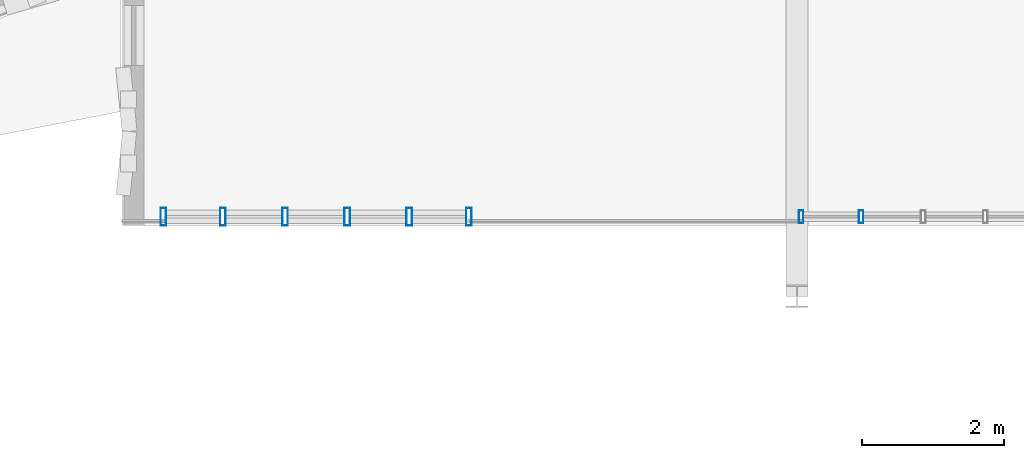
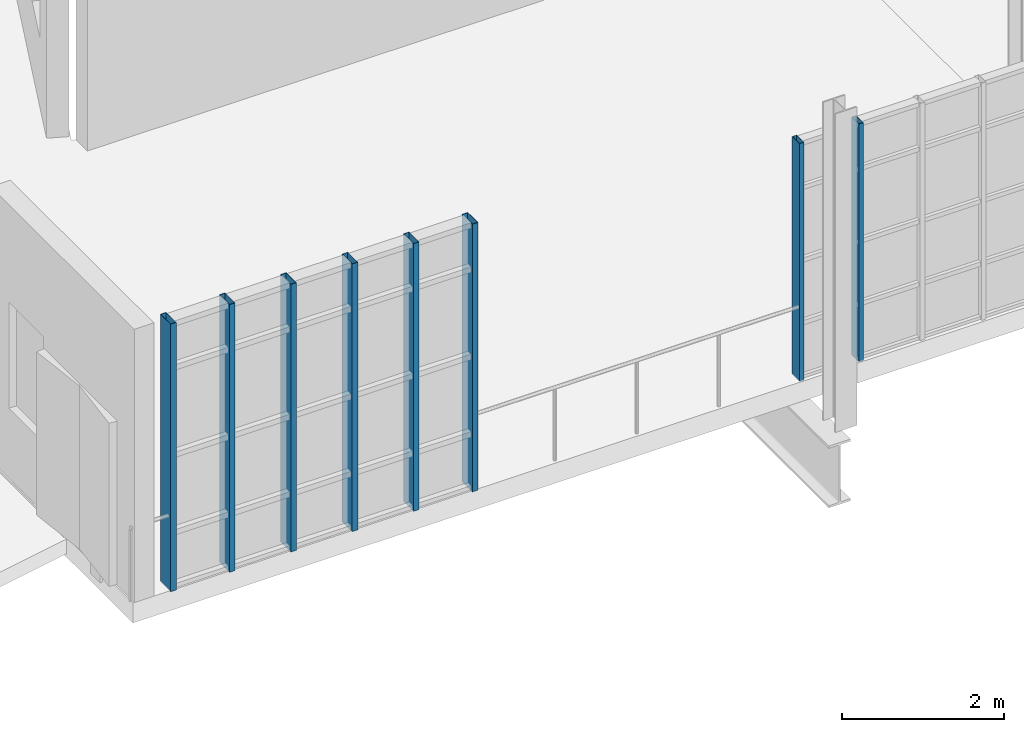
# One storey, part 21 of 122: 8 members, 2 elements without a shape of their own.
"""IFC4 building model written with IfcOpenShell, lengths in metres."""

import ifcopenshell
import ifcopenshell.guid

model = None  # the IFC model being written
_history = None  # IfcOwnerHistory: only IFC2X3 demands one
_inside = {}  # id of a spatial element -> (the spatial element, [elements in it])
_under = {}  # id of a project, library or spatial element -> (it, [spatial elements below it])
_declared = {}  # id of a project -> (the project, [libraries it declares])
_typed = {}  # id of a type object -> (the type object, [elements of that type])
_made_of = {}  # id of a material, layer set ... -> (it, [elements and type objects made of it])


def new_model(schema):
    """Start an empty IFC model of exactly this schema.

    Asked for "IFC4X3", IfcOpenShell would pick the latest addendum, in which some entities
    have other attributes; the version numbers below select the first issue.
    IFC2X3 requires an IfcOwnerHistory on every rooted entity: one is made here for all.
    """
    global model, _history
    if schema == "IFC4X3":
        model = ifcopenshell.file(schema_version=(4, 3, 0, 0))
    else:
        model = ifcopenshell.file(schema=schema)
    _inside.clear()
    _under.clear()
    _declared.clear()
    _typed.clear()
    _made_of.clear()
    _history = None
    if model.schema == "IFC2X3":
        org = make("IfcOrganization", Name="unknown")
        user = make(
            "IfcPersonAndOrganization",
            ThePerson=make("IfcPerson", FamilyName="unknown"),
            TheOrganization=org,
        )
        app = make(
            "IfcApplication",
            ApplicationDeveloper=org,
            Version="unknown",
            ApplicationFullName="unknown",
            ApplicationIdentifier="unknown",
        )
        _history = make(
            "IfcOwnerHistory",
            OwningUser=user,
            OwningApplication=app,
            ChangeAction="ADDED",
            CreationDate=0,
        )
    return model


def make(cls, **values):
    """One entity of the class cls with the attributes given. An attribute that is None is left unset."""
    return model.create_entity(
        cls, **{name: value for name, value in values.items() if value is not None}
    )


def rooted(cls, **values):
    """An entity with a GlobalId (a new one), such as an element, a storey or a relation."""
    return make(cls, GlobalId=ifcopenshell.guid.new(), OwnerHistory=_history, **values)


def si_unit(unit_type, name, prefix=None):
    """IfcSIUnit, for example si_unit("LENGTHUNIT", "METRE", prefix="MILLI")."""
    return make("IfcSIUnit", UnitType=unit_type, Prefix=prefix, Name=name)


def assignment(units):
    """IfcUnitAssignment: the units of a project."""
    return None if units is None else make("IfcUnitAssignment", Units=units)


def point(xyz):
    """IfcCartesianPoint."""
    return None if xyz is None else make("IfcCartesianPoint", Coordinates=xyz)


def direction(xyz):
    """IfcDirection."""
    return None if xyz is None else make("IfcDirection", DirectionRatios=xyz)


def frame(location, z_axis=None, x_axis=None):
    """IfcAxis2Placement3D, a coordinate frame: its origin and axes. An axis left out is left unset."""
    return make(
        "IfcAxis2Placement3D",
        Location=point(location),
        Axis=direction(z_axis),
        RefDirection=direction(x_axis),
    )


def frame_2d(location, x_axis=None):
    """IfcAxis2Placement2D, a coordinate frame in the plane: its origin and x axis."""
    return make(
        "IfcAxis2Placement2D", Location=point(location), RefDirection=direction(x_axis)
    )


def origin():
    """The frame at (0, 0, 0) with its axes left unset."""
    return frame((0.0, 0.0, 0.0))


def origin_2d():
    """The frame at (0, 0) in the plane with its x axis left unset."""
    return frame_2d((0.0, 0.0))


def place(relative_to, where):
    """IfcLocalPlacement: puts the frame where relative to a parent placement (None: the world)."""
    return make(
        "IfcLocalPlacement", PlacementRelTo=relative_to, RelativePlacement=where
    )


def context(
    kind, dimensions, precision=None, world=None, true_north=None, identifier=None
):
    """IfcGeometricRepresentationContext, for example the 3D "Model" context."""
    return make(
        "IfcGeometricRepresentationContext",
        ContextIdentifier=identifier,
        ContextType=kind,
        CoordinateSpaceDimension=dimensions,
        Precision=precision,
        WorldCoordinateSystem=world,
        TrueNorth=true_north,
    )


def subcontext(parent, identifier, kind, view, scale=None):
    """IfcGeometricRepresentationSubContext, for example "Body" below "Model"."""
    return make(
        "IfcGeometricRepresentationSubContext",
        ContextIdentifier=identifier,
        ContextType=kind,
        ParentContext=parent,
        TargetScale=scale,
        TargetView=view,
    )


def project(units=None, contexts=None):
    """IfcProject with its units and contexts."""
    return rooted(
        "IfcProject",
        Name="project",
        RepresentationContexts=contexts,
        UnitsInContext=assignment(units),
    )


def spatial(cls, under=None, at=None, **own):
    """A site, building, storey or space (cls), placed at a placement, below another one or the project."""
    s = rooted(cls, ObjectPlacement=at, **own)
    if under is not None:
        _under.setdefault(under.id(), (under, []))[1].append(s)
    return s


def profile(cls, at=None, kind="AREA", **sizes):
    """A parametric profile (cls). Its sizes go by their IFC names, for example OverallWidth=200.0."""
    return make(cls, ProfileType=kind, Position=at, **sizes)


def hollow_rectangle(**sizes):
    """IfcRectangleHollowProfileDef."""
    return profile("IfcRectangleHollowProfileDef", **sizes)


def extrude(swept, where, along, depth):
    """IfcExtrudedAreaSolid: the profile swept, set in the frame where, extruded along a direction by depth."""
    return make(
        "IfcExtrudedAreaSolid",
        SweptArea=swept,
        Position=where,
        ExtrudedDirection=direction(along),
        Depth=depth,
    )


def shape(context_of_items, identifier, shape_type, items):
    """IfcShapeRepresentation: the items that make up one representation, for example the "Body"."""
    return make(
        "IfcShapeRepresentation",
        ContextOfItems=context_of_items,
        RepresentationIdentifier=identifier,
        RepresentationType=shape_type,
        Items=items,
    )


def material(Name=None, Category=None):
    """IfcMaterial."""
    return make("IfcMaterial", Name=Name, Category=Category)


def layer(
    of_material, thickness, ventilated=None, Name=None, Category=None, Priority=None
):
    """IfcMaterialLayer: one layer of a wall or slab, of a material (None: an air gap)."""
    return make(
        "IfcMaterialLayer",
        Material=of_material,
        LayerThickness=thickness,
        IsVentilated=ventilated,
        Name=Name,
        Category=Category,
        Priority=Priority,
    )


def layer_set(layers, Name=None):
    """IfcMaterialLayerSet."""
    return make("IfcMaterialLayerSet", MaterialLayers=layers, LayerSetName=Name)


def material_profile(
    of_material, cross_section, Name=None, Category=None, Priority=None
):
    """IfcMaterialProfile: a cross section and its material."""
    return make(
        "IfcMaterialProfile",
        Name=Name,
        Material=of_material,
        Profile=cross_section,
        Priority=Priority,
        Category=Category,
    )


def profile_set(profiles, Name=None, composite=None):
    """IfcMaterialProfileSet."""
    return make(
        "IfcMaterialProfileSet",
        Name=Name,
        MaterialProfiles=profiles,
        CompositeProfile=composite,
    )


def made_of(thing, what):
    """Note that an element or type object is made of a material, layer set ...; save() writes the relation."""
    if what is not None:
        _made_of.setdefault(what.id(), (what, []))[1].append(thing)
    return thing


def type_object(cls, material=None, **own):
    """A type object (cls), such as IfcWallType, which elements share."""
    return made_of(rooted(cls, **own), material)


def element(
    cls,
    number,
    at=None,
    inside=None,
    cuts=None,
    type_object=None,
    material=None,
    context=None,
    identifier="Body",
    shape_type=None,
    held_by="IfcProductDefinitionShape",
    body=None,
    shapes=None,
    **own,
):
    """One element of the class cls, such as IfcWall. Its Tag is "e" and its number.

    at: its placement. inside: the storey or other place that contains it. cuts: it is an
    opening in that element (IfcRelVoidsElement). A single representation is given by context,
    identifier, shape_type and body (its items); several are given by shapes. held_by: the class
    of the entity that holds the representations. save() writes the other relations.
    """
    e = rooted(cls, Tag="e%d" % number, ObjectPlacement=at, **own)
    if body is not None:
        shapes = [shape(context, identifier, shape_type, body)]
    if shapes is not None:
        e.Representation = make(held_by, Representations=shapes)
    if inside is not None:
        _inside.setdefault(inside.id(), (inside, []))[1].append(e)
    if cuts is not None:
        rooted(
            "IfcRelVoidsElement", RelatingBuildingElement=cuts, RelatedOpeningElement=e
        )
    if type_object is not None:
        _typed.setdefault(type_object.id(), (type_object, []))[1].append(e)
    return made_of(e, material)


def aggregate(whole, parts):
    """IfcRelAggregates: a whole, such as a stair, and the parts it consists of."""
    return rooted("IfcRelAggregates", RelatingObject=whole, RelatedObjects=parts)


def save(model, path):
    """Write the relations noted so far, then the file.

    IfcRelAggregates (storeys below a building ...), IfcRelContainedInSpatialStructure (elements
    in a storey), IfcRelDefinesByType, IfcRelAssociatesMaterial and IfcRelDeclares: one each for
    every whole, place, type object, material and project.
    """
    for whole, parts in _under.values():
        aggregate(whole, parts)
    for where, things in _inside.values():
        rooted(
            "IfcRelContainedInSpatialStructure",
            RelatedElements=things,
            RelatingStructure=where,
        )
    for kind, things in _typed.values():
        rooted("IfcRelDefinesByType", RelatedObjects=things, RelatingType=kind)
    for what, things in _made_of.values():
        rooted("IfcRelAssociatesMaterial", RelatedObjects=things, RelatingMaterial=what)
    for by, libraries in _declared.values():
        rooted("IfcRelDeclares", RelatingContext=by, RelatedDefinitions=libraries)
    model.write(path)


model = new_model("IFC4")

# Units and contexts
model_context = context("Model", 3, precision=1e-05, world=origin(), true_north=direction((0.0, 1.0)))
body_context = subcontext(model_context, "Body", "Model", "MODEL_VIEW")
ifc_project = project(units=[si_unit("LENGTHUNIT", "METRE"), si_unit("AREAUNIT", "SQUARE_METRE"), si_unit("VOLUMEUNIT", "CUBIC_METRE"), si_unit("PLANEANGLEUNIT", "RADIAN"), si_unit("MASSUNIT", "GRAM", prefix="KILO"), si_unit("THERMODYNAMICTEMPERATUREUNIT", "KELVIN"), si_unit("POWERUNIT", "WATT")], contexts=[model_context])

# Site, building, storey
site_placement = place(None, origin())
site = spatial("IfcSite", under=ifc_project, at=site_placement, CompositionType="ELEMENT")
building_placement = place(site_placement, origin())
building = spatial("IfcBuilding", under=site, at=building_placement, Name="Zelmaris Science Centre", CompositionType="ELEMENT")
storey_placement = place(building_placement, frame((0.0, 0.0, 10.800048828125)))
storey = spatial("IfcBuildingStorey", under=building, at=storey_placement, Name="L02", CompositionType="ELEMENT", Elevation=10.800048828125)

# Curtain wall, members
ifc_material = material(Name="Anodised architectural aluminium 6063-T6", Category="aluminium")
ifc_layer_1 = layer(ifc_material, 0.2099609375, Name="Anodised architectural aluminium 6063-T6")
ifc_layer_set_1 = layer_set([ifc_layer_1], Name="Anodised architectural aluminium 6063-T6")
curtain_wall_type_1 = type_object("IfcCurtainWallType", Name="Curtain Wall CW-03", PredefinedType="USERDEFINED", material=ifc_layer_set_1)
curtain_wall_1_placement = place(storey_placement, origin())
curtain_wall_1 = element("IfcCurtainWall", 1, at=curtain_wall_1_placement, inside=storey, type_object=curtain_wall_type_1, Name="L02 Unitised curtain wall 247", ObjectType="GLAZED CURTAIN WALL", PredefinedType="USERDEFINED")
ifc_material_profile_1 = material_profile(ifc_material, hollow_rectangle(XDim=0.06494140625, YDim=0.179931640625, WallThickness=0.00390625, at=origin_2d()), Name="ALU-MUL-65X180")
ifc_profile_set_1 = profile_set([ifc_material_profile_1], Name="Anodised architectural aluminium 6063-T6")
member_type_1 = type_object("IfcMemberType", Name="ALU-MUL-65X180", PredefinedType="MULLION", material=ifc_profile_set_1)
member_1_placement = place(storey_placement, frame((103.9013671875, 21.1201171875, -0.01513671875), z_axis=(0.0, 0.0, 1.0), x_axis=(-0.999999999986, 5.235988e-06, 0.0)))
member_1 = element("IfcMember", 2, at=member_1_placement, type_object=member_type_1, Name="CW-03 mullion 5", PredefinedType="MULLION", context=body_context, shape_type="SweptSolid", body=[
    extrude(hollow_rectangle(XDim=0.06494140625, YDim=0.179931640625, WallThickness=0.00390625, at=origin_2d()), origin(), (0.0, 0.0, 1.0), 3.588134765625),
])
member_2_placement = place(storey_placement, frame((103.05517578125, 21.1201171875, -0.01513671875), z_axis=(0.0, 0.0, 1.0), x_axis=(-0.999999999986, 5.235988e-06, 0.0)))
member_2 = element("IfcMember", 3, at=member_2_placement, type_object=member_type_1, Name="CW-03 mullion 6", PredefinedType="MULLION", context=body_context, shape_type="SweptSolid", body=[
    extrude(hollow_rectangle(XDim=0.06494140625, YDim=0.179931640625, WallThickness=0.00390625, at=origin_2d()), origin(), (0.0, 0.0, 1.0), 3.588134765625),
])
aggregate(curtain_wall_1, [member_1, member_2])

ifc_layer_2 = layer(ifc_material, 0.18994140625, Name="Anodised architectural aluminium 6063-T6")
ifc_layer_set_2 = layer_set([ifc_layer_2], Name="Anodised architectural aluminium 6063-T6")
curtain_wall_type_2 = type_object("IfcCurtainWallType", Name="Curtain Wall CW-01", PredefinedType="USERDEFINED", material=ifc_layer_set_2)
curtain_wall_2_placement = place(storey_placement, origin())
curtain_wall_2 = element("IfcCurtainWall", 4, at=curtain_wall_2_placement, inside=storey, type_object=curtain_wall_type_2, Name="L02 Unitised curtain wall 249", ObjectType="GLAZED CURTAIN WALL", PredefinedType="USERDEFINED")
ifc_material_profile_2 = material_profile(ifc_material, hollow_rectangle(XDim=0.080078125, YDim=0.25, WallThickness=0.0048828125, at=origin_2d()), Name="ALU-MUL-80X250")
ifc_profile_set_2 = profile_set([ifc_material_profile_2], Name="Anodised architectural aluminium 6063-T6")
member_type_2 = type_object("IfcMemberType", Name="ALU-MUL-80X250", PredefinedType="MULLION", material=ifc_profile_set_2)
member_3_placement = place(storey_placement, frame((98.37744140625, 21.1201171875, -0.01513671875), z_axis=(0.0, 0.0, 1.0), x_axis=(-0.999999999986, 5.235988e-06, 0.0)))
member_3 = element("IfcMember", 5, at=member_3_placement, type_object=member_type_2, Name="CW-01 mullion 1", PredefinedType="MULLION", context=body_context, shape_type="SweptSolid", body=[
    extrude(hollow_rectangle(XDim=0.080078125, YDim=0.25, WallThickness=0.0048828125, at=origin_2d()), origin(), (0.0, 0.0, 1.0), 4.03515625),
])
member_4_placement = place(storey_placement, frame((97.538818359375, 21.1201171875, -0.01513671875), z_axis=(0.0, 0.0, 1.0), x_axis=(-0.999999999986, 5.235988e-06, 0.0)))
member_4 = element("IfcMember", 6, at=member_4_placement, type_object=member_type_2, Name="CW-01 mullion 2", PredefinedType="MULLION", context=body_context, shape_type="SweptSolid", body=[
    extrude(hollow_rectangle(XDim=0.080078125, YDim=0.25, WallThickness=0.0048828125, at=origin_2d()), origin(), (0.0, 0.0, 1.0), 4.03515625),
])
member_5_placement = place(storey_placement, frame((96.6640625, 21.1201171875, -0.01513671875), z_axis=(0.0, 0.0, 1.0), x_axis=(-0.999999999986, 5.235988e-06, 0.0)))
member_5 = element("IfcMember", 7, at=member_5_placement, type_object=member_type_2, Name="CW-01 mullion 3", PredefinedType="MULLION", context=body_context, shape_type="SweptSolid", body=[
    extrude(hollow_rectangle(XDim=0.080078125, YDim=0.25, WallThickness=0.0048828125, at=origin_2d()), origin(), (0.0, 0.0, 1.0), 4.03515625),
])
member_6_placement = place(storey_placement, frame((95.789306640625, 21.1201171875, -0.01513671875), z_axis=(0.0, 0.0, 1.0), x_axis=(-0.999999999986, 5.235988e-06, 0.0)))
member_6 = element("IfcMember", 8, at=member_6_placement, type_object=member_type_2, Name="CW-01 mullion 4", PredefinedType="MULLION", context=body_context, shape_type="SweptSolid", body=[
    extrude(hollow_rectangle(XDim=0.080078125, YDim=0.25, WallThickness=0.0048828125, at=origin_2d()), origin(), (0.0, 0.0, 1.0), 4.03515625),
])
member_7_placement = place(storey_placement, frame((94.914794921875, 21.1201171875, -0.01513671875), z_axis=(0.0, 0.0, 1.0), x_axis=(-0.999999999986, 5.235988e-06, 0.0)))
member_7 = element("IfcMember", 9, at=member_7_placement, type_object=member_type_2, Name="CW-01 mullion 5", PredefinedType="MULLION", context=body_context, shape_type="SweptSolid", body=[
    extrude(hollow_rectangle(XDim=0.080078125, YDim=0.25, WallThickness=0.0048828125, at=origin_2d()), origin(), (0.0, 0.0, 1.0), 4.03515625),
])
member_8_placement = place(storey_placement, frame((94.076171875, 21.1201171875, -0.01513671875), z_axis=(0.0, 0.0, 1.0), x_axis=(-0.999999999986, 5.235988e-06, 0.0)))
member_8 = element("IfcMember", 10, at=member_8_placement, type_object=member_type_2, Name="CW-01 mullion 6", PredefinedType="MULLION", context=body_context, shape_type="SweptSolid", body=[
    extrude(hollow_rectangle(XDim=0.080078125, YDim=0.25, WallThickness=0.0048828125, at=origin_2d()), origin(), (0.0, 0.0, 1.0), 4.03515625),
])
aggregate(curtain_wall_2, [member_3, member_4, member_5, member_6, member_7, member_8])

save(model, "model.ifc")
